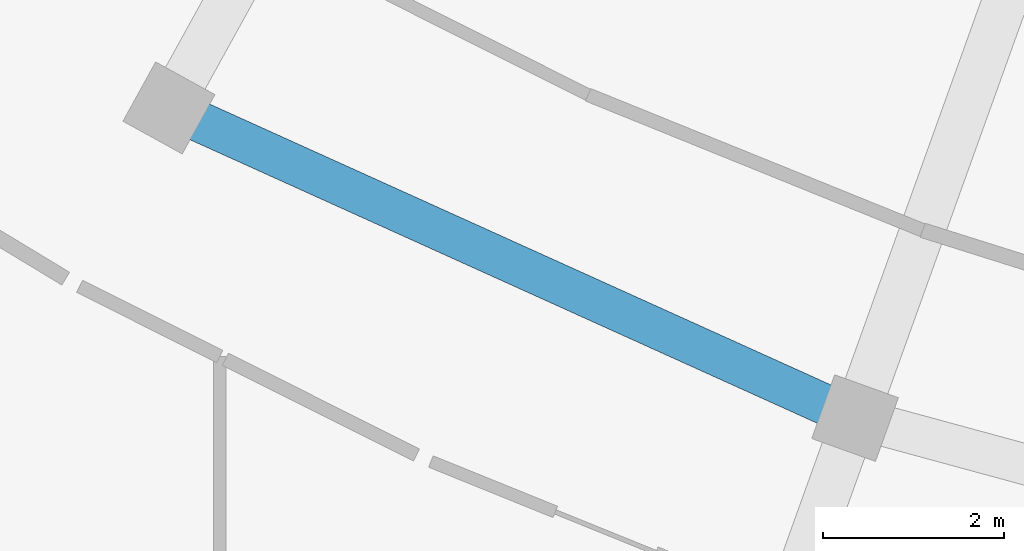
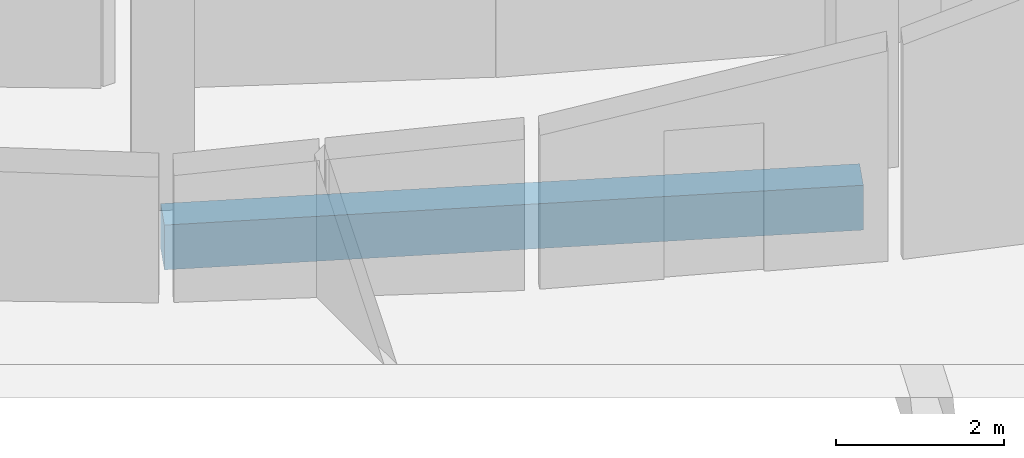
# One storey, part 18 of 168: 1 beam.
"""IFC4 building model written with IfcOpenShell, lengths in metres."""

from ifc_helpers import new_model, si_unit, direction, frame, origin, origin_2d, place, context, subcontext, project, spatial, rectangle, extrude, material, material_profile, profile_set, type_object, element, save


model = new_model("IFC4")

# Units and contexts
model_context = context("Model", 3, precision=1e-05, world=origin(), true_north=direction((0.0, 1.0)))
body_context = subcontext(model_context, "Body", "Model", "MODEL_VIEW")
ifc_project = project(units=[si_unit("LENGTHUNIT", "METRE"), si_unit("AREAUNIT", "SQUARE_METRE"), si_unit("VOLUMEUNIT", "CUBIC_METRE"), si_unit("PLANEANGLEUNIT", "RADIAN"), si_unit("MASSUNIT", "GRAM", prefix="KILO")], contexts=[model_context])

# Site, building, storey
site_placement = place(None, origin())
site = spatial("IfcSite", under=ifc_project, at=site_placement, CompositionType="ELEMENT")
building_placement = place(site_placement, origin())
building = spatial("IfcBuilding", under=site, at=building_placement, Name="Selatvlak General Hospital", CompositionType="ELEMENT")
storey_placement = place(building_placement, frame((0.0, 0.0, 5.39990234375)))
storey = spatial("IfcBuildingStorey", under=building, at=storey_placement, Name="L01", CompositionType="ELEMENT", Elevation=5.39990234375)

# Beam
ifc_material = material(Name="Concrete C40/50", Category="concrete")
ifc_material_profile = material_profile(ifc_material, rectangle(XDim=0.449951171875, YDim=0.64990234375, at=origin_2d()), Name="RC-BM 450x650")
ifc_profile_set = profile_set([ifc_material_profile], Name="Concrete C40/50")
beam_type = type_object("IfcBeamType", Name="BM-G04", PredefinedType="BEAM", material=ifc_profile_set)
beam_placement = place(storey_placement, frame((30.637939453125, 33.531982421875, -0.64501953125), z_axis=(0.911222507052, -0.411914484623, 0.0), x_axis=(0.411914484623, 0.911222507052, 0.0)))
element("IfcBeam", 1, at=beam_placement, inside=storey, type_object=beam_type, Name="Beam BMR-L01-0744", PredefinedType="BEAM", context=body_context, shape_type="SweptSolid", body=[
    extrude(rectangle(XDim=0.449951171875, YDim=0.64990234375, at=origin_2d()), origin(), (0.0, 0.0, 1.0), 8.341552734375),
])

save(model, "model.ifc")
